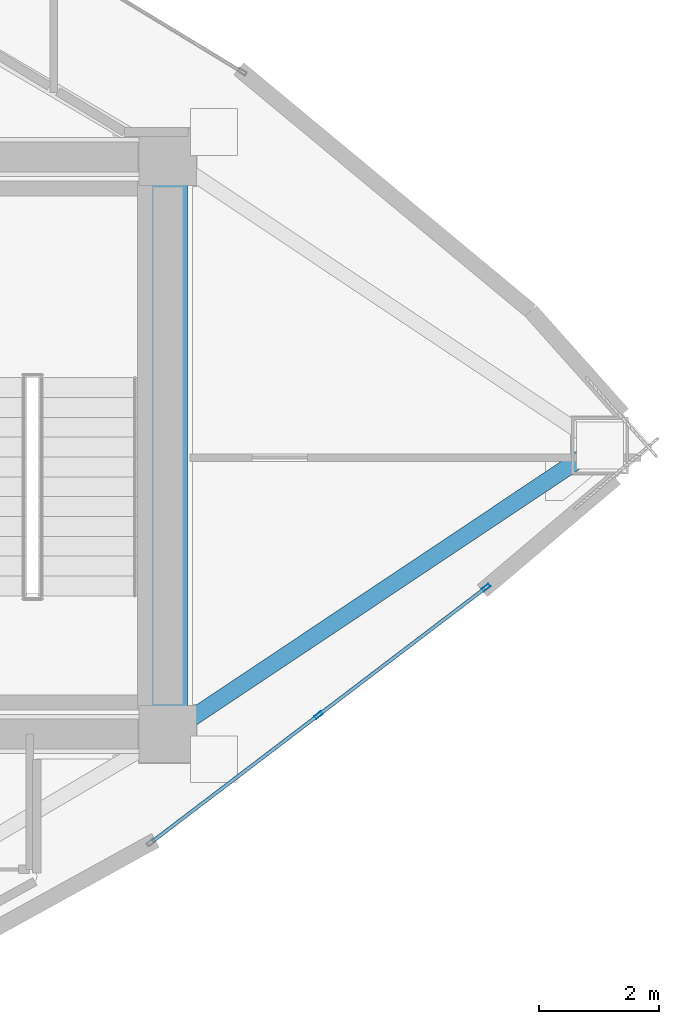
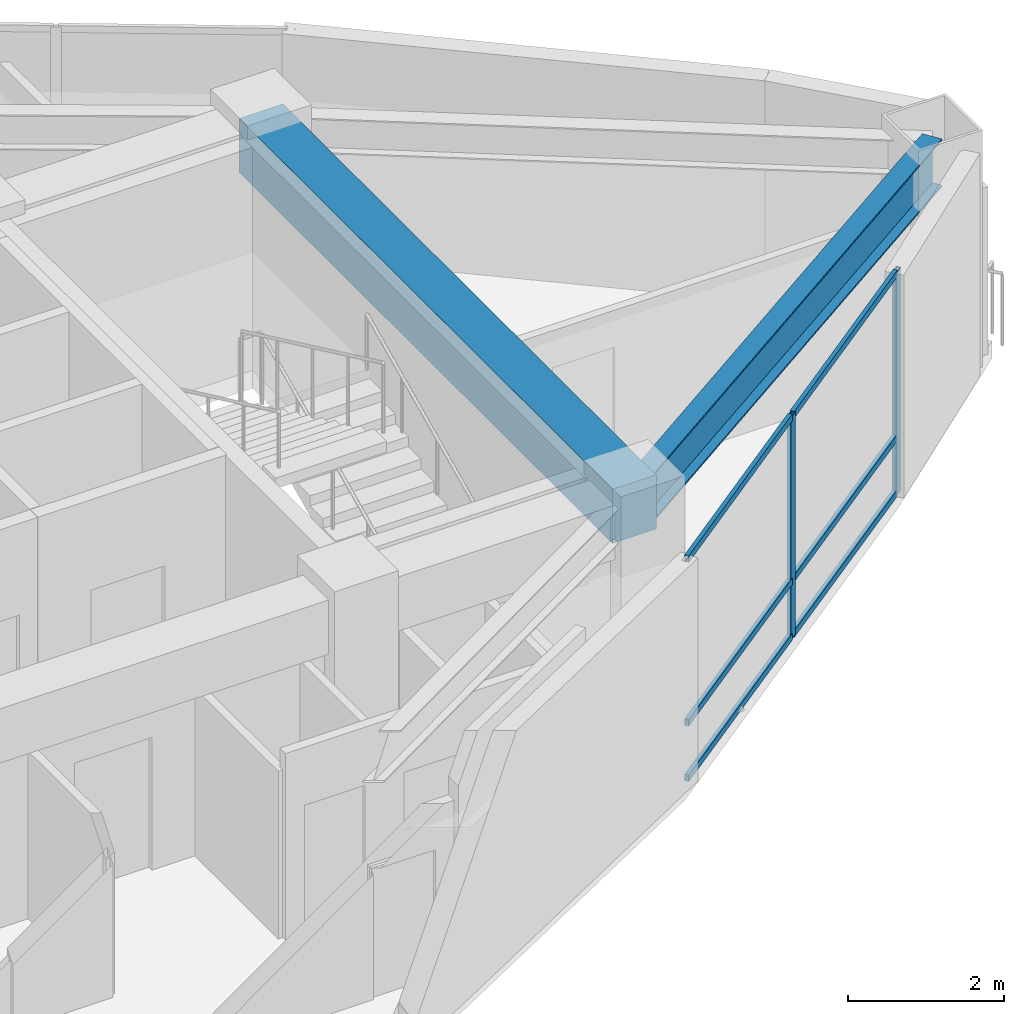
# One storey, part 5 of 15: 8 members, 2 beams, 1 element without a shape of its own.
"""IFC4 building model written with IfcOpenShell, lengths in metres."""

from ifc_helpers import new_model, si_unit, direction, frame, origin, origin_2d, place, context, subcontext, project, spatial, rectangle, hollow_rectangle, i_section, extrude, material, layer, layer_set, material_profile, profile_set, type_object, element, aggregate, save


model = new_model("IFC4")

# Units and contexts
model_context = context("Model", 3, precision=1e-05, world=origin(), true_north=direction((0.0, 1.0)))
body_context = subcontext(model_context, "Body", "Model", "MODEL_VIEW")
ifc_project = project(units=[si_unit("LENGTHUNIT", "METRE"), si_unit("AREAUNIT", "SQUARE_METRE"), si_unit("VOLUMEUNIT", "CUBIC_METRE"), si_unit("PLANEANGLEUNIT", "RADIAN"), si_unit("MASSUNIT", "GRAM", prefix="KILO")], contexts=[model_context])

# Site, building, storey
site_placement = place(None, origin())
site = spatial("IfcSite", under=ifc_project, at=site_placement, CompositionType="ELEMENT")
building_placement = place(site_placement, origin())
building = spatial("IfcBuilding", under=site, at=building_placement, Name="Menara Vayukalpa", CompositionType="ELEMENT")
storey_placement = place(building_placement, frame((0.0, 0.0, 172.919921875)))
storey = spatial("IfcBuildingStorey", under=building, at=storey_placement, Name="L43", CompositionType="ELEMENT", Elevation=172.919921875)

# Beams
ifc_material_1 = material(Name="Concrete C60/75", Category="concrete")
ifc_material_profile_1 = material_profile(ifc_material_1, rectangle(XDim=0.64990234375, YDim=0.85009765625, at=origin_2d()), Name="RC 650x850")
ifc_profile_set_1 = profile_set([ifc_material_profile_1], Name="Concrete C60/75")
beam_type_1 = type_object("IfcBeamType", Name="BM-CB1", PredefinedType="BEAM", material=ifc_profile_set_1)
beam_1_placement = place(storey_placement, frame((33.39990234375, 17.199951171875, 3.0751953125), z_axis=(0.0, 1.0, 0.0), x_axis=(-1.0, 0.0, 0.0)))
element("IfcBeam", 1, at=beam_1_placement, inside=storey, type_object=beam_type_1, Name="L43 Core Tie Beam CBR8", PredefinedType="BEAM", context=body_context, shape_type="SweptSolid", body=[
    extrude(rectangle(XDim=0.64990234375, YDim=0.85009765625, at=origin_2d()), origin(), (0.0, 0.0, 1.0), 9.60009765625),
])
ifc_material_2 = material(Name="Steel S355", Category="steel")
ifc_material_profile_2 = material_profile(ifc_material_2, i_section(OverallWidth=0.280029296875, OverallDepth=0.75, WebThickness=0.013916015625, FlangeThickness=0.02490234375, at=origin_2d()), Name="WF 750x280x14x25")
ifc_profile_set_2 = profile_set([ifc_material_profile_2], Name="Steel S355")
beam_type_2 = type_object("IfcBeamType", Name="BM-PG4", PredefinedType="BEAM", material=ifc_profile_set_2)
beam_2_placement = place(storey_placement, frame((33.60791015625, 17.3388671875, 3.125), z_axis=(0.831719080732, 0.555196695547, 0.0), x_axis=(-0.555196695547, 0.831719080732, 0.0)))
element("IfcBeam", 2, at=beam_2_placement, inside=storey, type_object=beam_type_2, Name="L43 Primary Radial Girder RG01", PredefinedType="BEAM", context=body_context, shape_type="SweptSolid", body=[
    extrude(i_section(OverallWidth=0.280029296875, OverallDepth=0.75, WebThickness=0.013916015625, FlangeThickness=0.02490234375, at=origin_2d()), origin(), (0.0, 0.0, 1.0), 8.3955078125),
])

# Curtain wall, members
ifc_material_3 = material(Name="Anodised Terracotta Aluminium Alloy 6063-T6", Category="masonry")
ifc_layer = layer(ifc_material_3, 0.139892578125)
ifc_layer_set = layer_set([ifc_layer], Name="Anodised Terracotta Aluminium Alloy 6063-T6")
curtain_wall_type = type_object("IfcCurtainWallType", Name="CW-CW5", PredefinedType="USERDEFINED", material=ifc_layer_set)
curtain_wall_placement = place(storey_placement, origin())
curtain_wall = element("IfcCurtainWall", 3, at=curtain_wall_placement, inside=storey, type_object=curtain_wall_type, Name="L43 High Rise Tapered Curtain Wall CW5 19", ObjectType="UNITISED", PredefinedType="USERDEFINED")
ifc_material_4 = material(Name="Anodised Terracotta Aluminium Alloy 6063-T6", Category="masonry")
ifc_material_profile_3 = material_profile(ifc_material_4, hollow_rectangle(XDim=0.06005859375, YDim=0.139892578125, WallThickness=0.00341796875, at=origin_2d()), Name="ALU 60x140x3.5")
ifc_profile_set_3 = profile_set([ifc_material_profile_3], Name="Anodised Terracotta Aluminium Alloy 6063-T6")
member_type_1 = type_object("IfcMemberType", Name="CWM-CW5", PredefinedType="MULLION", material=ifc_profile_set_3)
member_1_placement = place(storey_placement, frame((35.90966796875, 17.517822265625, 0.0), z_axis=(0.0, 0.0, 1.0), x_axis=(-0.60554034445, 0.795814608589, 0.0)))
member_1 = element("IfcMember", 4, at=member_1_placement, type_object=member_type_1, Name="CW5 mullion 2", PredefinedType="MULLION", context=body_context, shape_type="SweptSolid", body=[
    extrude(hollow_rectangle(XDim=0.06005859375, YDim=0.139892578125, WallThickness=0.00341796875, at=origin_2d()), origin(), (0.0, 0.0, 1.0), 3.5),
])
member_2_placement = place(storey_placement, frame((38.697265625, 19.638916015625, 0.0), z_axis=(0.0, 0.0, 1.0), x_axis=(-0.60554034445, 0.795814608589, 0.0)))
member_2 = element("IfcMember", 5, at=member_2_placement, type_object=member_type_1, Name="CW5 mullion 3", PredefinedType="MULLION", context=body_context, shape_type="SweptSolid", body=[
    extrude(hollow_rectangle(XDim=0.06005859375, YDim=0.139892578125, WallThickness=0.00341796875, at=origin_2d()), origin(), (0.0, 0.0, 1.0), 3.5),
])
ifc_material_5 = material(Name="Anodised Terracotta Aluminium Alloy 6063-T6", Category="masonry")
ifc_material_profile_4 = material_profile(ifc_material_5, hollow_rectangle(XDim=0.06005859375, YDim=0.10498046875, WallThickness=0.0029296875, at=origin_2d()), Name="ALU 60x105x3")
ifc_profile_set_4 = profile_set([ifc_material_profile_4], Name="Anodised Terracotta Aluminium Alloy 6063-T6")
member_type_2 = type_object("IfcMemberType", Name="CWT-CW5", PredefinedType="USERDEFINED", material=ifc_profile_set_4)
member_3_placement = place(storey_placement, frame((33.14599609375, 15.414794921875, 0.030029296875), z_axis=(0.795836865502, 0.605511092803, 0.0), x_axis=(-0.605511092803, 0.795836865502, 0.0)))
member_3 = element("IfcMember", 6, at=member_3_placement, type_object=member_type_2, Name="CW5 transom 1.1", ObjectType="TRANSOM", PredefinedType="USERDEFINED", context=body_context, shape_type="SweptSolid", body=[
    extrude(hollow_rectangle(XDim=0.06005859375, YDim=0.10498046875, WallThickness=0.0029296875, at=origin_2d()), origin(), (0.0, 0.0, 1.0), 3.44287109375),
])
member_4_placement = place(storey_placement, frame((33.14599609375, 15.414794921875, 0.900146484375), z_axis=(0.795836865502, 0.605511092803, 0.0), x_axis=(-0.605511092803, 0.795836865502, 0.0)))
member_4 = element("IfcMember", 7, at=member_4_placement, type_object=member_type_2, Name="CW5 transom 1.2", ObjectType="TRANSOM", PredefinedType="USERDEFINED", context=body_context, shape_type="SweptSolid", body=[
    extrude(hollow_rectangle(XDim=0.06005859375, YDim=0.10498046875, WallThickness=0.0029296875, at=origin_2d()), origin(), (0.0, 0.0, 1.0), 3.44287109375),
])
member_5_placement = place(storey_placement, frame((33.14599609375, 15.414794921875, 3.469970703125), z_axis=(0.795836865502, 0.605511092803, 0.0), x_axis=(-0.605511092803, 0.795836865502, 0.0)))
member_5 = element("IfcMember", 8, at=member_5_placement, type_object=member_type_2, Name="CW5 transom 1.3", ObjectType="TRANSOM", PredefinedType="USERDEFINED", context=body_context, shape_type="SweptSolid", body=[
    extrude(hollow_rectangle(XDim=0.06005859375, YDim=0.10498046875, WallThickness=0.0029296875, at=origin_2d()), origin(), (0.0, 0.0, 1.0), 3.44287109375),
])
member_6_placement = place(storey_placement, frame((35.93359375, 17.535888671875, 0.030029296875), z_axis=(0.795810864143, 0.605545265453, 0.0), x_axis=(-0.605545265453, 0.795810864143, 0.0)))
member_6 = element("IfcMember", 9, at=member_6_placement, type_object=member_type_2, Name="CW5 transom 2.1", ObjectType="TRANSOM", PredefinedType="USERDEFINED", context=body_context, shape_type="SweptSolid", body=[
    extrude(hollow_rectangle(XDim=0.06005859375, YDim=0.10498046875, WallThickness=0.0029296875, at=origin_2d()), origin(), (0.0, 0.0, 1.0), 3.442626953125),
])
member_7_placement = place(storey_placement, frame((35.93359375, 17.535888671875, 0.900146484375), z_axis=(0.795810864143, 0.605545265453, 0.0), x_axis=(-0.605545265453, 0.795810864143, 0.0)))
member_7 = element("IfcMember", 10, at=member_7_placement, type_object=member_type_2, Name="CW5 transom 2.2", ObjectType="TRANSOM", PredefinedType="USERDEFINED", context=body_context, shape_type="SweptSolid", body=[
    extrude(hollow_rectangle(XDim=0.06005859375, YDim=0.10498046875, WallThickness=0.0029296875, at=origin_2d()), origin(), (0.0, 0.0, 1.0), 3.442626953125),
])
member_8_placement = place(storey_placement, frame((35.93359375, 17.535888671875, 3.469970703125), z_axis=(0.795810864143, 0.605545265453, 0.0), x_axis=(-0.605545265453, 0.795810864143, 0.0)))
member_8 = element("IfcMember", 11, at=member_8_placement, type_object=member_type_2, Name="CW5 transom 2.3", ObjectType="TRANSOM", PredefinedType="USERDEFINED", context=body_context, shape_type="SweptSolid", body=[
    extrude(hollow_rectangle(XDim=0.06005859375, YDim=0.10498046875, WallThickness=0.0029296875, at=origin_2d()), origin(), (0.0, 0.0, 1.0), 3.442626953125),
])
aggregate(curtain_wall, [member_1, member_2, member_3, member_4, member_5, member_6, member_7, member_8])

save(model, "model.ifc")
